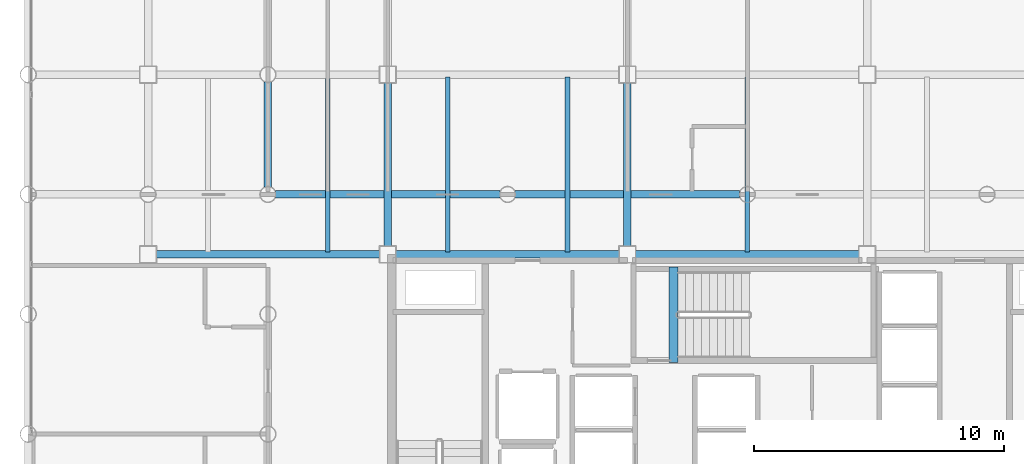
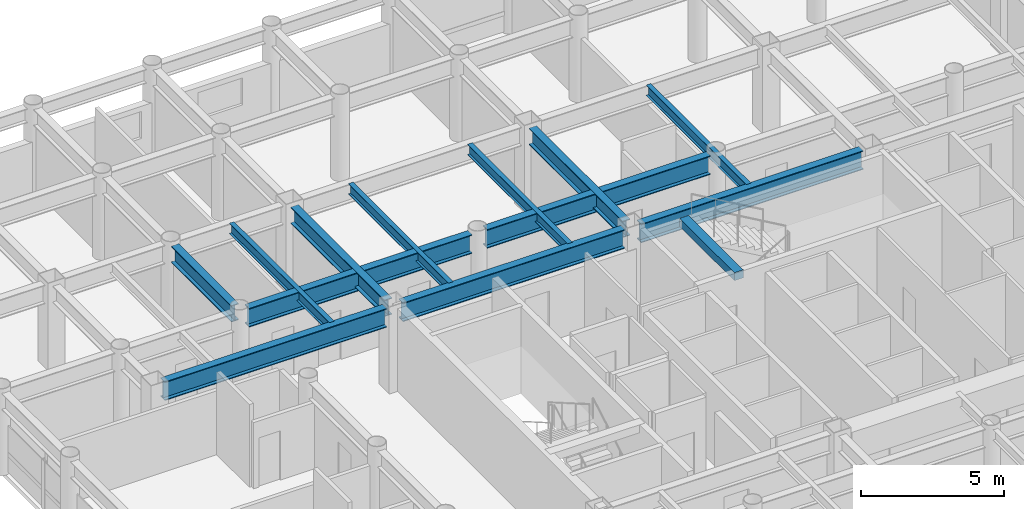
# One storey, part 5 of 20: 13 beams.
"""IFC4 building model written with IfcOpenShell, lengths in metres."""

from ifc_helpers import new_model, si_unit, direction, frame, origin, origin_2d, place, context, subcontext, project, spatial, rectangle, i_section, extrude, material, material_profile, profile_set, type_object, element, save


model = new_model("IFC4")

# Units and contexts
model_context = context("Model", 3, precision=1e-05, world=origin(), true_north=direction((0.0, 1.0)))
body_context = subcontext(model_context, "Body", "Model", "MODEL_VIEW")
ifc_project = project(units=[si_unit("LENGTHUNIT", "METRE"), si_unit("AREAUNIT", "SQUARE_METRE"), si_unit("VOLUMEUNIT", "CUBIC_METRE"), si_unit("PLANEANGLEUNIT", "RADIAN"), si_unit("MASSUNIT", "GRAM", prefix="KILO")], contexts=[model_context])

# Site, building, storey
site_placement = place(None, origin())
site = spatial("IfcSite", under=ifc_project, at=site_placement, CompositionType="ELEMENT")
building_placement = place(site_placement, origin())
building = spatial("IfcBuilding", under=site, at=building_placement, Name="Kallvorn Hotel Tower", CompositionType="ELEMENT")
storey_placement = place(building_placement, frame((0.0, 0.0, 98.89990234375)))
storey = spatial("IfcBuildingStorey", under=building, at=storey_placement, Name="L23", CompositionType="ELEMENT", Elevation=98.89990234375)

# Beams
ifc_material_1 = material(Name="Structural steel S355JR", Category="steel")
ifc_material_profile_1 = material_profile(ifc_material_1, i_section(OverallWidth=0.300048828125, OverallDepth=0.699951171875, WebThickness=0.01708984375, FlangeThickness=0.031982421875, at=origin_2d()), Name="HE 700 B")
ifc_profile_set_1 = profile_set([ifc_material_profile_1], Name="Structural steel S355JR")
beam_type_1 = type_object("IfcBeamType", Name="BM_HE700B", PredefinedType="BEAM", material=ifc_profile_set_1)
beam_1_placement = place(storey_placement, frame((-19.199951171875, 9.905029296875, 3.170166015625), z_axis=(0.0, 1.0, 0.0), x_axis=(-1.0, 0.0, 0.0)))
element("IfcBeam", 1, at=beam_1_placement, inside=storey, type_object=beam_type_1, Name="L24 Primary Y-Girder 94", PredefinedType="BEAM", context=body_context, shape_type="SweptSolid", body=[
    extrude(i_section(OverallWidth=0.300048828125, OverallDepth=0.699951171875, WebThickness=0.01708984375, FlangeThickness=0.031982421875, at=origin_2d()), origin(), (0.0, 0.0, 1.0), 4.18994140625),
])
for number, where, z_axis, x_axis, name in (
    (2, (-14.39990234375, 7.52490234375, 3.170166015625), (0.0, 1.0, 0.0), (-1.0, 0.0, 0.0), "L24 Primary Y-Girder 99"),
    (3, (-4.800048828125, 7.52490234375, 3.170166015625), (0.0, 1.0, 0.0), (-1.0, 0.0, 0.0), "L24 Primary Y-Girder 107"),
):
    element("IfcBeam", number, at=place(storey_placement, frame(where, z_axis=z_axis, x_axis=x_axis)), inside=storey, type_object=beam_type_1, Name=name, PredefinedType="BEAM", context=body_context, shape_type="SweptSolid", body=[
        extrude(i_section(OverallWidth=0.300048828125, OverallDepth=0.699951171875, WebThickness=0.01708984375, FlangeThickness=0.031982421875, at=origin_2d()), origin(), (0.0, 0.0, 1.0), 6.550048828125),
    ])
ifc_material_2 = material(Name="Structural steel S355JR", Category="steel")
ifc_material_profile_2 = material_profile(ifc_material_2, i_section(OverallWidth=0.300048828125, OverallDepth=0.800048828125, WebThickness=0.017578125, FlangeThickness=0.032958984375, at=origin_2d()), Name="HE 800 B")
ifc_profile_set_2 = profile_set([ifc_material_profile_2], Name="Structural steel S355JR")
beam_type_2 = type_object("IfcBeamType", Name="BM_HE800B", PredefinedType="BEAM", material=ifc_profile_set_2)
for number, where, z_axis, x_axis, name in (
    (4, (-23.675048828125, 7.199951171875, 3.1201171875), (1.0, 0.0, 0.0), (0.0, 1.0, 0.0), "L24 Primary X-Girder 36"),
    (5, (-14.074951171875, 7.199951171875, 3.1201171875), (1.0, 0.0, 0.0), (0.0, 1.0, 0.0), "L24 Primary X-Girder 37"),
):
    element("IfcBeam", number, at=place(storey_placement, frame(where, z_axis=z_axis, x_axis=x_axis)), inside=storey, type_object=beam_type_2, Name=name, PredefinedType="BEAM", context=body_context, shape_type="SweptSolid", body=[
        extrude(i_section(OverallWidth=0.300048828125, OverallDepth=0.800048828125, WebThickness=0.017578125, FlangeThickness=0.032958984375, at=origin_2d()), origin(), (0.0, 0.0, 1.0), 8.949951171875),
    ])
beam_2_placement = place(storey_placement, frame((-4.47509765625, 7.199951171875, 3.1201171875), z_axis=(1.0, 0.0, 0.0), x_axis=(0.0, 1.0, 0.0)))
element("IfcBeam", 6, at=beam_2_placement, inside=storey, type_object=beam_type_2, Name="L24 Primary X-Girder 38", PredefinedType="BEAM", context=body_context, shape_type="SweptSolid", body=[
    extrude(i_section(OverallWidth=0.300048828125, OverallDepth=0.800048828125, WebThickness=0.017578125, FlangeThickness=0.032958984375, at=origin_2d()), origin(), (0.0, 0.0, 1.0), 8.9501953125),
])
for number, where, z_axis, x_axis, name in (
    (7, (-18.89501953125, 9.60009765625, 3.1201171875), (1.0, 0.0, 0.0), (0.0, 1.0, 0.0), "L24 Primary X-Girder 43"),
    (8, (-9.294921875, 9.60009765625, 3.1201171875), (1.0, 0.0, 0.0), (0.0, 1.0, 0.0), "L24 Primary X-Girder 44"),
):
    element("IfcBeam", number, at=place(storey_placement, frame(where, z_axis=z_axis, x_axis=x_axis)), inside=storey, type_object=beam_type_2, Name=name, PredefinedType="BEAM", context=body_context, shape_type="SweptSolid", body=[
        extrude(i_section(OverallWidth=0.300048828125, OverallDepth=0.800048828125, WebThickness=0.017578125, FlangeThickness=0.032958984375, at=origin_2d()), origin(), (0.0, 0.0, 1.0), 8.989990234375),
    ])
ifc_material_3 = material(Name="Structural steel S355JR", Category="steel")
ifc_material_profile_3 = material_profile(ifc_material_3, i_section(OverallWidth=0.18994140625, OverallDepth=0.449951171875, WebThickness=0.009521484375, FlangeThickness=0.0146484375, at=origin_2d()), Name="IPE 450")
ifc_profile_set_3 = profile_set([ifc_material_profile_3], Name="Structural steel S355JR")
beam_type_3 = type_object("IfcBeamType", Name="BM_IPE450", PredefinedType="JOIST", material=ifc_profile_set_3)
for number, where, z_axis, x_axis, name in (
    (9, (-16.800048828125, 7.300048828125, 3.295166015625), (0.0, 1.0, 0.0), (-1.0, 0.0, 0.0), "L24 Secondary Composite Joist 195"),
    (10, (-12.0, 7.300048828125, 3.295166015625), (0.0, 1.0, 0.0), (-1.0, 0.0, 0.0), "L24 Secondary Composite Joist 197"),
    (11, (-7.199951171875, 7.300048828125, 3.295166015625), (0.0, 1.0, 0.0), (-1.0, 0.0, 0.0), "L24 Secondary Composite Joist 199"),
    (12, (0.0, 7.300048828125, 3.295166015625), (0.0, 1.0, 0.0), (-1.0, 0.0, 0.0), "L24 Secondary Composite Joist 201"),
):
    element("IfcBeam", number, at=place(storey_placement, frame(where, z_axis=z_axis, x_axis=x_axis)), inside=storey, type_object=beam_type_3, Name=name, PredefinedType="JOIST", context=body_context, shape_type="SweptSolid", body=[
        extrude(i_section(OverallWidth=0.18994140625, OverallDepth=0.449951171875, WebThickness=0.009521484375, FlangeThickness=0.0146484375, at=origin_2d()), origin(), (0.0, 0.0, 1.0), 7.0),
    ])
ifc_material_4 = material(Name="Concrete C50/60", Category="concrete")
ifc_material_profile_4 = material_profile(ifc_material_4, rectangle(XDim=0.360107421875, YDim=0.340087890625, at=origin_2d()), Name="RC 360x340")
ifc_profile_set_4 = profile_set([ifc_material_profile_4], Name="Concrete C50/60")
beam_type_4 = type_object("IfcBeamType", Name="BM_RC_400x360", PredefinedType="BEAM", material=ifc_profile_set_4)
beam_3_placement = place(storey_placement, frame((-2.9599609375, 2.8701171875, 3.35009765625), z_axis=(0.0, 1.0, 0.0), x_axis=(-1.0, 0.0, 0.0)))
element("IfcBeam", 13, at=beam_3_placement, inside=storey, type_object=beam_type_4, Name="L24 Stair ST3 Arrival Trimmer Beam", PredefinedType="BEAM", context=body_context, shape_type="SweptSolid", body=[
    extrude(rectangle(XDim=0.360107421875, YDim=0.340087890625, at=origin_2d()), origin(), (0.0, 0.0, 1.0), 3.81982421875),
])

save(model, "model.ifc")
